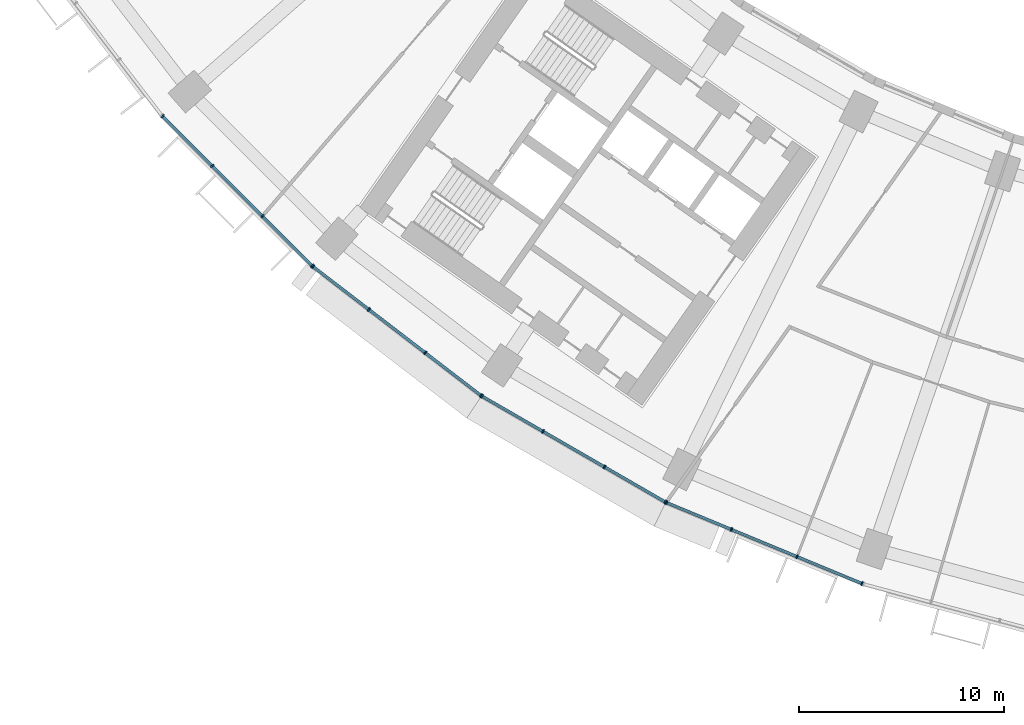
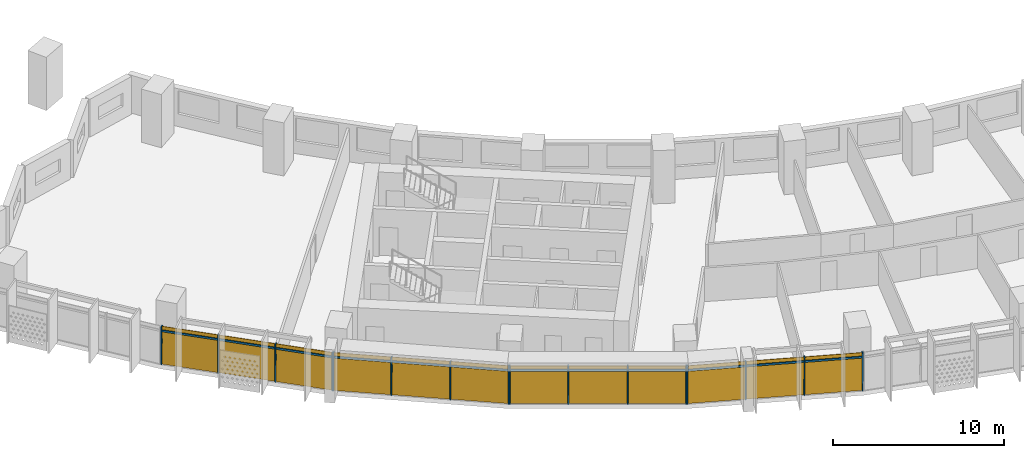
# One storey, part 18 of 31: 28 members, 4 curtain walls.
"""IFC4 building model written with IfcOpenShell, lengths in metres."""

from ifc_helpers import new_model, si_unit, direction, frame, origin, origin_2d, place, context, subcontext, project, spatial, rectangle, extrude, material, material_profile, profile_set, type_object, element, aggregate, save


model = new_model("IFC4")

# Units and contexts
model_context = context("Model", 3, precision=1e-05, world=origin(), true_north=direction((0.0, 1.0)))
body_context = subcontext(model_context, "Body", "Model", "MODEL_VIEW")
ifc_project = project(units=[si_unit("LENGTHUNIT", "METRE"), si_unit("AREAUNIT", "SQUARE_METRE"), si_unit("VOLUMEUNIT", "CUBIC_METRE"), si_unit("PLANEANGLEUNIT", "RADIAN"), si_unit("MASSUNIT", "GRAM", prefix="KILO")], contexts=[model_context])

# Member
ifc_material = material(Name="Aluminium 6063-T6 anodised", Category="aluminium")
ifc_material_profile_1 = material_profile(ifc_material, rectangle(XDim=0.199951171875, YDim=0.070068359375, at=origin_2d()))
ifc_profile_set_1 = profile_set([ifc_material_profile_1], Name="Aluminium 6063-T6 anodised")
member_type_1 = type_object("IfcMemberType", Name="Mullion 70 x 200 aluminium", PredefinedType="MULLION", material=ifc_profile_set_1)
site_placement = place(None, origin())
building_placement = place(site_placement, origin())
storey_placement = place(building_placement, frame((0.0, 0.0, 86.10009765625)))
member_1_placement = place(storey_placement, frame((-59.78857421875, -52.470947265625, 0.0), z_axis=(0.0, 0.0, 1.0), x_axis=(0.707106781187, 0.707106781187, 0.0)))
member_1 = element("IfcMember", 1, at=member_1_placement, type_object=member_type_1, Name="e-cw1-L18-out02/M00", PredefinedType="MULLION", context=body_context, shape_type="SweptSolid", body=[
    extrude(rectangle(XDim=0.199951171875, YDim=0.070068359375, at=origin_2d()), origin(), (0.0, 0.0, 1.0), 2.699951171875),
])

member_2_placement = place(storey_placement, frame((-57.357666015625, -54.90185546875, 0.0), z_axis=(0.0, 0.0, 1.0), x_axis=(0.707106781187, 0.707106781187, 0.0)))
member_2 = element("IfcMember", 2, at=member_2_placement, type_object=member_type_1, Name="e-cw1-L18-out02/M01", PredefinedType="MULLION", context=body_context, shape_type="SweptSolid", body=[
    extrude(rectangle(XDim=0.199951171875, YDim=0.070068359375, at=origin_2d()), origin(), (0.0, 0.0, 1.0), 2.699951171875),
])

member_3_placement = place(storey_placement, frame((-54.90185546875, -57.357666015625, 0.0), z_axis=(0.0, 0.0, 1.0), x_axis=(0.707106781187, 0.707106781187, 0.0)))
member_3 = element("IfcMember", 3, at=member_3_placement, type_object=member_type_1, Name="e-cw1-L18-out02/M02", PredefinedType="MULLION", context=body_context, shape_type="SweptSolid", body=[
    extrude(rectangle(XDim=0.199951171875, YDim=0.070068359375, at=origin_2d()), origin(), (0.0, 0.0, 1.0), 2.699951171875),
])

member_4_placement = place(storey_placement, frame((-52.470947265625, -59.78857421875, 0.0), z_axis=(0.0, 0.0, 1.0), x_axis=(0.707106781187, 0.707106781187, 0.0)))
member_4 = element("IfcMember", 4, at=member_4_placement, type_object=member_type_1, Name="e-cw1-L18-out02/M03", PredefinedType="MULLION", context=body_context, shape_type="SweptSolid", body=[
    extrude(rectangle(XDim=0.199951171875, YDim=0.070068359375, at=origin_2d()), origin(), (0.0, 0.0, 1.0), 2.699951171875),
])

member_5_placement = place(storey_placement, frame((-52.42822265625, -59.825927734375, 0.0), z_axis=(0.0, 0.0, 1.0), x_axis=(0.608761429009, 0.793353340291, 0.0)))
member_5 = element("IfcMember", 5, at=member_5_placement, type_object=member_type_1, Name="e-cw1-L18-out03/M00", PredefinedType="MULLION", context=body_context, shape_type="SweptSolid", body=[
    extrude(rectangle(XDim=0.199951171875, YDim=0.070068359375, at=origin_2d()), origin(), (0.0, 0.0, 1.0), 2.699951171875),
])

member_6_placement = place(storey_placement, frame((-49.70068359375, -61.9189453125, 0.0), z_axis=(0.0, 0.0, 1.0), x_axis=(0.608761429009, 0.793353340291, 0.0)))
member_6 = element("IfcMember", 6, at=member_6_placement, type_object=member_type_1, Name="e-cw1-L18-out03/M01", PredefinedType="MULLION", context=body_context, shape_type="SweptSolid", body=[
    extrude(rectangle(XDim=0.199951171875, YDim=0.070068359375, at=origin_2d()), origin(), (0.0, 0.0, 1.0), 2.699951171875),
])

member_7_placement = place(storey_placement, frame((-46.945556640625, -64.032958984375, 0.0), z_axis=(0.0, 0.0, 1.0), x_axis=(0.608761429009, 0.793353340291, 0.0)))
member_7 = element("IfcMember", 7, at=member_7_placement, type_object=member_type_1, Name="e-cw1-L18-out03/M02", PredefinedType="MULLION", context=body_context, shape_type="SweptSolid", body=[
    extrude(rectangle(XDim=0.199951171875, YDim=0.070068359375, at=origin_2d()), origin(), (0.0, 0.0, 1.0), 2.699951171875),
])

member_8_placement = place(storey_placement, frame((-44.218017578125, -66.1259765625, 0.0), z_axis=(0.0, 0.0, 1.0), x_axis=(0.608761429009, 0.793353340291, 0.0)))
member_8 = element("IfcMember", 8, at=member_8_placement, type_object=member_type_1, Name="e-cw1-L18-out03/M03", PredefinedType="MULLION", context=body_context, shape_type="SweptSolid", body=[
    extrude(rectangle(XDim=0.199951171875, YDim=0.070068359375, at=origin_2d()), origin(), (0.0, 0.0, 1.0), 2.699951171875),
])

member_9_placement = place(storey_placement, frame((-44.1708984375, -66.157470703125, 0.0), z_axis=(0.0, 0.0, 1.0), x_axis=(0.5, 0.866025403784, 0.0)))
member_9 = element("IfcMember", 9, at=member_9_placement, type_object=member_type_1, Name="e-cw1-L18-out04/M00", PredefinedType="MULLION", context=body_context, shape_type="SweptSolid", body=[
    extrude(rectangle(XDim=0.199951171875, YDim=0.070068359375, at=origin_2d()), origin(), (0.0, 0.0, 1.0), 2.699951171875),
])

member_10_placement = place(storey_placement, frame((-41.193603515625, -67.87646484375, 0.0), z_axis=(0.0, 0.0, 1.0), x_axis=(0.5, 0.866025403784, 0.0)))
member_10 = element("IfcMember", 10, at=member_10_placement, type_object=member_type_1, Name="e-cw1-L18-out04/M01", PredefinedType="MULLION", context=body_context, shape_type="SweptSolid", body=[
    extrude(rectangle(XDim=0.199951171875, YDim=0.070068359375, at=origin_2d()), origin(), (0.0, 0.0, 1.0), 2.699951171875),
])

member_11_placement = place(storey_placement, frame((-38.18603515625, -69.61279296875, 0.0), z_axis=(0.0, 0.0, 1.0), x_axis=(0.5, 0.866025403784, 0.0)))
member_11 = element("IfcMember", 11, at=member_11_placement, type_object=member_type_1, Name="e-cw1-L18-out04/M02", PredefinedType="MULLION", context=body_context, shape_type="SweptSolid", body=[
    extrude(rectangle(XDim=0.199951171875, YDim=0.070068359375, at=origin_2d()), origin(), (0.0, 0.0, 1.0), 2.699951171875),
])

member_12_placement = place(storey_placement, frame((-35.20849609375, -71.331787109375, 0.0), z_axis=(0.0, 0.0, 1.0), x_axis=(0.5, 0.866025403784, 0.0)))
member_12 = element("IfcMember", 12, at=member_12_placement, type_object=member_type_1, Name="e-cw1-L18-out04/M03", PredefinedType="MULLION", context=body_context, shape_type="SweptSolid", body=[
    extrude(rectangle(XDim=0.199951171875, YDim=0.070068359375, at=origin_2d()), origin(), (0.0, 0.0, 1.0), 2.699951171875),
])

member_13_placement = place(storey_placement, frame((-35.15771484375, -71.35693359375, 0.0), z_axis=(0.0, 0.0, 1.0), x_axis=(0.382683432365, 0.923879532511, 0.0)))
member_13 = element("IfcMember", 13, at=member_13_placement, type_object=member_type_1, Name="e-cw1-L18-out05/M00", PredefinedType="MULLION", context=body_context, shape_type="SweptSolid", body=[
    extrude(rectangle(XDim=0.199951171875, YDim=0.070068359375, at=origin_2d()), origin(), (0.0, 0.0, 1.0), 2.699951171875),
])

member_14_placement = place(storey_placement, frame((-31.9814453125, -72.672607421875, 0.0), z_axis=(0.0, 0.0, 1.0), x_axis=(0.382683432365, 0.923879532511, 0.0)))
member_14 = element("IfcMember", 14, at=member_14_placement, type_object=member_type_1, Name="e-cw1-L18-out05/M01", PredefinedType="MULLION", context=body_context, shape_type="SweptSolid", body=[
    extrude(rectangle(XDim=0.199951171875, YDim=0.070068359375, at=origin_2d()), origin(), (0.0, 0.0, 1.0), 2.699951171875),
])

member_15_placement = place(storey_placement, frame((-28.77294921875, -74.00146484375, 0.0), z_axis=(0.0, 0.0, 1.0), x_axis=(0.382683432365, 0.923879532511, 0.0)))
member_15 = element("IfcMember", 15, at=member_15_placement, type_object=member_type_1, Name="e-cw1-L18-out05/M02", PredefinedType="MULLION", context=body_context, shape_type="SweptSolid", body=[
    extrude(rectangle(XDim=0.199951171875, YDim=0.070068359375, at=origin_2d()), origin(), (0.0, 0.0, 1.0), 2.699951171875),
])

member_16_placement = place(storey_placement, frame((-25.5966796875, -75.317138671875, 0.0), z_axis=(0.0, 0.0, 1.0), x_axis=(0.382683432365, 0.923879532511, 0.0)))
member_16 = element("IfcMember", 16, at=member_16_placement, type_object=member_type_1, Name="e-cw1-L18-out05/M03", PredefinedType="MULLION", context=body_context, shape_type="SweptSolid", body=[
    extrude(rectangle(XDim=0.199951171875, YDim=0.070068359375, at=origin_2d()), origin(), (0.0, 0.0, 1.0), 2.699951171875),
])

ifc_material_profile_2 = material_profile(ifc_material, rectangle(XDim=0.139892578125, YDim=0.1201171875, at=origin_2d()))
ifc_profile_set_2 = profile_set([ifc_material_profile_2], Name="Aluminium 6063-T6 anodised")
member_type_2 = type_object("IfcMemberType", Name="Transom 120 x 140 aluminium", PredefinedType="USERDEFINED", material=ifc_profile_set_2)
member_17_placement = place(storey_placement, frame((-59.763916015625, -52.49560546875, 2.39990234375), z_axis=(0.707106781187, -0.707106781187, 0.0), x_axis=(0.707106781187, 0.707106781187, 0.0)))
member_17 = element("IfcMember", 17, at=member_17_placement, type_object=member_type_2, Name="e-cw1-L18-out02/T00", ObjectType="TRANSOM", PredefinedType="USERDEFINED", context=body_context, shape_type="SweptSolid", body=[
    extrude(rectangle(XDim=0.139892578125, YDim=0.1201171875, at=origin_2d()), origin(), (0.0, 0.0, 1.0), 3.3681640625),
])

member_18_placement = place(storey_placement, frame((-57.332763671875, -54.9267578125, 2.39990234375), z_axis=(0.707106781187, -0.707106781187, 0.0), x_axis=(0.707106781187, 0.707106781187, 0.0)))
member_18 = element("IfcMember", 18, at=member_18_placement, type_object=member_type_2, Name="e-cw1-L18-out02/T01", ObjectType="TRANSOM", PredefinedType="USERDEFINED", context=body_context, shape_type="SweptSolid", body=[
    extrude(rectangle(XDim=0.139892578125, YDim=0.1201171875, at=origin_2d()), origin(), (0.0, 0.0, 1.0), 3.402587890625),
])

member_19_placement = place(storey_placement, frame((-54.877197265625, -57.38232421875, 2.39990234375), z_axis=(0.707106781187, -0.707106781187, 0.0), x_axis=(0.707106781187, 0.707106781187, 0.0)))
member_19 = element("IfcMember", 19, at=member_19_placement, type_object=member_type_2, Name="e-cw1-L18-out02/T02", ObjectType="TRANSOM", PredefinedType="USERDEFINED", context=body_context, shape_type="SweptSolid", body=[
    extrude(rectangle(XDim=0.139892578125, YDim=0.1201171875, at=origin_2d()), origin(), (0.0, 0.0, 1.0), 3.3681640625),
])

member_20_placement = place(storey_placement, frame((-52.400390625, -59.847412109375, 2.39990234375), z_axis=(0.793375276742, -0.608732839803, 0.0), x_axis=(0.608732839803, 0.793375276742, 0.0)))
member_20 = element("IfcMember", 20, at=member_20_placement, type_object=member_type_2, Name="e-cw1-L18-out03/T00", ObjectType="TRANSOM", PredefinedType="USERDEFINED", context=body_context, shape_type="SweptSolid", body=[
    extrude(rectangle(XDim=0.139892578125, YDim=0.1201171875, at=origin_2d()), origin(), (0.0, 0.0, 1.0), 3.36767578125),
])

member_21_placement = place(storey_placement, frame((-49.673095703125, -61.940185546875, 2.39990234375), z_axis=(0.793356868815, -0.60875683052, 0.0), x_axis=(0.60875683052, 0.793356868815, 0.0)))
member_21 = element("IfcMember", 21, at=member_21_placement, type_object=member_type_2, Name="e-cw1-L18-out03/T01", ObjectType="TRANSOM", PredefinedType="USERDEFINED", context=body_context, shape_type="SweptSolid", body=[
    extrude(rectangle(XDim=0.139892578125, YDim=0.1201171875, at=origin_2d()), origin(), (0.0, 0.0, 1.0), 3.40283203125),
])

member_22_placement = place(storey_placement, frame((-46.917724609375, -64.054443359375, 2.39990234375), z_axis=(0.793375276742, -0.608732839803, 0.0), x_axis=(0.608732839803, 0.793375276742, 0.0)))
member_22 = element("IfcMember", 22, at=member_22_placement, type_object=member_type_2, Name="e-cw1-L18-out03/T02", ObjectType="TRANSOM", PredefinedType="USERDEFINED", context=body_context, shape_type="SweptSolid", body=[
    extrude(rectangle(XDim=0.139892578125, YDim=0.1201171875, at=origin_2d()), origin(), (0.0, 0.0, 1.0), 3.36767578125),
])

member_23_placement = place(storey_placement, frame((-44.140625, -66.175048828125, 2.39990234375), z_axis=(0.866044351828, -0.49996717959, 0.0), x_axis=(0.49996717959, 0.866044351828, 0.0)))
member_23 = element("IfcMember", 23, at=member_23_placement, type_object=member_type_2, Name="e-cw1-L18-out04/T00", ObjectType="TRANSOM", PredefinedType="USERDEFINED", context=body_context, shape_type="SweptSolid", body=[
    extrude(rectangle(XDim=0.139892578125, YDim=0.1201171875, at=origin_2d()), origin(), (0.0, 0.0, 1.0), 3.367919921875),
])

member_24_placement = place(storey_placement, frame((-41.163330078125, -67.893798828125, 2.39990234375), z_axis=(0.866000398227, -0.500043308395, 0.0), x_axis=(0.500043308395, 0.866000398227, 0.0)))
member_24 = element("IfcMember", 24, at=member_24_placement, type_object=member_type_2, Name="e-cw1-L18-out04/T01", ObjectType="TRANSOM", PredefinedType="USERDEFINED", context=body_context, shape_type="SweptSolid", body=[
    extrude(rectangle(XDim=0.139892578125, YDim=0.1201171875, at=origin_2d()), origin(), (0.0, 0.0, 1.0), 3.403076171875),
])

member_25_placement = place(storey_placement, frame((-38.155517578125, -69.63037109375, 2.39990234375), z_axis=(0.866026229868, -0.499998569178, 0.0), x_axis=(0.499998569178, 0.866026229868, 0.0)))
member_25 = element("IfcMember", 25, at=member_25_placement, type_object=member_type_2, Name="e-cw1-L18-out04/T02", ObjectType="TRANSOM", PredefinedType="USERDEFINED", context=body_context, shape_type="SweptSolid", body=[
    extrude(rectangle(XDim=0.139892578125, YDim=0.1201171875, at=origin_2d()), origin(), (0.0, 0.0, 1.0), 3.36767578125),
])

member_26_placement = place(storey_placement, frame((-35.125244140625, -71.370361328125, 2.39990234375), z_axis=(0.923872807855, -0.382699666719, 0.0), x_axis=(0.382699666719, 0.923872807855, 0.0)))
member_26 = element("IfcMember", 26, at=member_26_placement, type_object=member_type_2, Name="e-cw1-L18-out05/T00", ObjectType="TRANSOM", PredefinedType="USERDEFINED", context=body_context, shape_type="SweptSolid", body=[
    extrude(rectangle(XDim=0.139892578125, YDim=0.1201171875, at=origin_2d()), origin(), (0.0, 0.0, 1.0), 3.36767578125),
])

member_27_placement = place(storey_placement, frame((-31.94921875, -72.68603515625, 2.39990234375), z_axis=(0.92388567708, -0.382668597728, 0.0), x_axis=(0.382668597728, 0.92388567708, 0.0)))
member_27 = element("IfcMember", 27, at=member_27_placement, type_object=member_type_2, Name="e-cw1-L18-out05/T01", ObjectType="TRANSOM", PredefinedType="USERDEFINED", context=body_context, shape_type="SweptSolid", body=[
    extrude(rectangle(XDim=0.139892578125, YDim=0.1201171875, at=origin_2d()), origin(), (0.0, 0.0, 1.0), 3.403076171875),
])

member_28_placement = place(storey_placement, frame((-28.740478515625, -74.014892578125, 2.39990234375), z_axis=(0.923872807855, -0.382699666719, 0.0), x_axis=(0.382699666719, 0.923872807855, 0.0)))
member_28 = element("IfcMember", 28, at=member_28_placement, type_object=member_type_2, Name="e-cw1-L18-out05/T02", ObjectType="TRANSOM", PredefinedType="USERDEFINED", context=body_context, shape_type="SweptSolid", body=[
    extrude(rectangle(XDim=0.139892578125, YDim=0.1201171875, at=origin_2d()), origin(), (0.0, 0.0, 1.0), 3.36767578125),
])

# Site, building, storey
site = spatial("IfcSite", under=ifc_project, at=site_placement, CompositionType="ELEMENT")
building = spatial("IfcBuilding", under=site, at=building_placement, Name="Qamariyya Broadcast Tower", CompositionType="ELEMENT")
storey = spatial("IfcBuildingStorey", under=building, at=storey_placement, Name="L18", CompositionType="ELEMENT", Elevation=86.10009765625)

# Curtain wall
curtain_wall_type = type_object("IfcCurtainWallType", Name="Unitised curtain wall, anodised aluminium", PredefinedType="NOTDEFINED", material=ifc_material)
curtain_wall_1_placement = place(storey_placement, origin())
curtain_wall_1 = element("IfcCurtainWall", 29, at=curtain_wall_1_placement, inside=storey, type_object=curtain_wall_type, Name="e-cw1-L18-out02", PredefinedType="NOTDEFINED", context=body_context, shape_type="SweptSolid", body=[
    extrude(rectangle(XDim=3.367919921875, YDim=0.031982421875, at=origin_2d()), frame((-58.572998046875, -53.6865234375, 0.0), x_axis=(0.707106781187, -0.707106781187, 0.0)), (0.0, 0.0, 1.0), 2.340087890625),
    extrude(rectangle(XDim=3.367919921875, YDim=0.031982421875, at=origin_2d()), frame((-58.572998046875, -53.6865234375, 2.4599609375), x_axis=(0.707106781187, -0.707106781187, 0.0)), (0.0, 0.0, 1.0), 0.239990234375),
    extrude(rectangle(XDim=3.40283203125, YDim=0.031982421875, at=origin_2d()), frame((-56.1298828125, -56.1298828125, 0.0), x_axis=(0.707106781187, -0.707106781187, 0.0)), (0.0, 0.0, 1.0), 2.340087890625),
    extrude(rectangle(XDim=3.40283203125, YDim=0.031982421875, at=origin_2d()), frame((-56.1298828125, -56.1298828125, 2.4599609375), x_axis=(0.707106781187, -0.707106781187, 0.0)), (0.0, 0.0, 1.0), 0.239990234375),
    extrude(rectangle(XDim=3.367919921875, YDim=0.031982421875, at=origin_2d()), frame((-53.6865234375, -58.572998046875, 0.0), x_axis=(0.707106781187, -0.707106781187, 0.0)), (0.0, 0.0, 1.0), 2.340087890625),
    extrude(rectangle(XDim=3.367919921875, YDim=0.031982421875, at=origin_2d()), frame((-53.6865234375, -58.572998046875, 2.4599609375), x_axis=(0.707106781187, -0.707106781187, 0.0)), (0.0, 0.0, 1.0), 0.239990234375),
])

aggregate(curtain_wall_1, [member_1, member_2, member_3, member_4, member_17, member_18, member_19])

curtain_wall_2_placement = place(storey_placement, origin())
curtain_wall_2 = element("IfcCurtainWall", 30, at=curtain_wall_2_placement, inside=storey, type_object=curtain_wall_type, Name="e-cw1-L18-out03", PredefinedType="NOTDEFINED", context=body_context, shape_type="SweptSolid", body=[
    extrude(rectangle(XDim=3.367919921875, YDim=0.031982421875, at=origin_2d()), frame((-51.064453125, -60.872314453125, 0.0), x_axis=(0.79335775203, -0.608755679475, 0.0)), (0.0, 0.0, 1.0), 2.340087890625),
    extrude(rectangle(XDim=3.367919921875, YDim=0.031982421875, at=origin_2d()), frame((-51.064453125, -60.872314453125, 2.4599609375), x_axis=(0.79335775203, -0.608755679475, 0.0)), (0.0, 0.0, 1.0), 0.239990234375),
    extrude(rectangle(XDim=3.40283203125, YDim=0.031982421875, at=origin_2d()), frame((-48.3232421875, -62.97607421875, 0.0), x_axis=(0.79335775203, -0.608755679475, 0.0)), (0.0, 0.0, 1.0), 2.340087890625),
    extrude(rectangle(XDim=3.40283203125, YDim=0.031982421875, at=origin_2d()), frame((-48.3232421875, -62.97607421875, 2.4599609375), x_axis=(0.79335775203, -0.608755679475, 0.0)), (0.0, 0.0, 1.0), 0.239990234375),
    extrude(rectangle(XDim=3.367919921875, YDim=0.031982421875, at=origin_2d()), frame((-45.581787109375, -65.07958984375, 0.0), x_axis=(0.79335775203, -0.608755679475, 0.0)), (0.0, 0.0, 1.0), 2.340087890625),
    extrude(rectangle(XDim=3.367919921875, YDim=0.031982421875, at=origin_2d()), frame((-45.581787109375, -65.07958984375, 2.4599609375), x_axis=(0.79335775203, -0.608755679475, 0.0)), (0.0, 0.0, 1.0), 0.239990234375),
])

aggregate(curtain_wall_2, [member_5, member_6, member_7, member_8, member_20, member_21, member_22])

curtain_wall_3_placement = place(storey_placement, origin())
curtain_wall_3 = element("IfcCurtainWall", 31, at=curtain_wall_3_placement, inside=storey, type_object=curtain_wall_type, Name="e-cw1-L18-out04", PredefinedType="NOTDEFINED", context=body_context, shape_type="SweptSolid", body=[
    extrude(rectangle(XDim=3.367919921875, YDim=0.031982421875, at=origin_2d()), frame((-42.68212890625, -67.016845703125, 0.0), x_axis=(0.86602247392, -0.500005074639, 0.0)), (0.0, 0.0, 1.0), 2.340087890625),
    extrude(rectangle(XDim=3.367919921875, YDim=0.031982421875, at=origin_2d()), frame((-42.68212890625, -67.016845703125, 2.4599609375), x_axis=(0.86602247392, -0.500005074639, 0.0)), (0.0, 0.0, 1.0), 0.239990234375),
    extrude(rectangle(XDim=3.40283203125, YDim=0.031982421875, at=origin_2d()), frame((-39.689697265625, -68.74462890625, 0.0), x_axis=(0.86602247392, -0.500005074639, 0.0)), (0.0, 0.0, 1.0), 2.340087890625),
    extrude(rectangle(XDim=3.40283203125, YDim=0.031982421875, at=origin_2d()), frame((-39.689697265625, -68.74462890625, 2.4599609375), x_axis=(0.86602247392, -0.500005074639, 0.0)), (0.0, 0.0, 1.0), 0.239990234375),
    extrude(rectangle(XDim=3.367919921875, YDim=0.031982421875, at=origin_2d()), frame((-36.697265625, -70.472412109375, 0.0), x_axis=(0.86602247392, -0.500005074639, 0.0)), (0.0, 0.0, 1.0), 2.340087890625),
    extrude(rectangle(XDim=3.367919921875, YDim=0.031982421875, at=origin_2d()), frame((-36.697265625, -70.472412109375, 2.4599609375), x_axis=(0.86602247392, -0.500005074639, 0.0)), (0.0, 0.0, 1.0), 0.239990234375),
])

aggregate(curtain_wall_3, [member_9, member_10, member_11, member_12, member_23, member_24, member_25])

curtain_wall_4_placement = place(storey_placement, origin())
curtain_wall_4 = element("IfcCurtainWall", 32, at=curtain_wall_4_placement, inside=storey, type_object=curtain_wall_type, Name="e-cw1-L18-out05", PredefinedType="NOTDEFINED", context=body_context, shape_type="SweptSolid", body=[
    extrude(rectangle(XDim=3.367919921875, YDim=0.031982421875, at=origin_2d()), frame((-33.569580078125, -72.0146484375, 0.0), x_axis=(0.92387774222, -0.382687754482, 0.0)), (0.0, 0.0, 1.0), 2.340087890625),
    extrude(rectangle(XDim=3.367919921875, YDim=0.031982421875, at=origin_2d()), frame((-33.569580078125, -72.0146484375, 2.4599609375), x_axis=(0.92387774222, -0.382687754482, 0.0)), (0.0, 0.0, 1.0), 0.239990234375),
    extrude(rectangle(XDim=3.40283203125, YDim=0.031982421875, at=origin_2d()), frame((-30.377197265625, -73.3369140625, 0.0), x_axis=(0.92387774222, -0.382687754482, 0.0)), (0.0, 0.0, 1.0), 2.340087890625),
    extrude(rectangle(XDim=3.40283203125, YDim=0.031982421875, at=origin_2d()), frame((-30.377197265625, -73.3369140625, 2.4599609375), x_axis=(0.92387774222, -0.382687754482, 0.0)), (0.0, 0.0, 1.0), 0.239990234375),
    extrude(rectangle(XDim=3.367919921875, YDim=0.031982421875, at=origin_2d()), frame((-27.184814453125, -74.659423828125, 0.0), x_axis=(0.92387774222, -0.382687754482, 0.0)), (0.0, 0.0, 1.0), 2.340087890625),
    extrude(rectangle(XDim=3.367919921875, YDim=0.031982421875, at=origin_2d()), frame((-27.184814453125, -74.659423828125, 2.4599609375), x_axis=(0.92387774222, -0.382687754482, 0.0)), (0.0, 0.0, 1.0), 0.239990234375),
])

aggregate(curtain_wall_4, [member_13, member_14, member_15, member_16, member_26, member_27, member_28])

save(model, "model.ifc")
